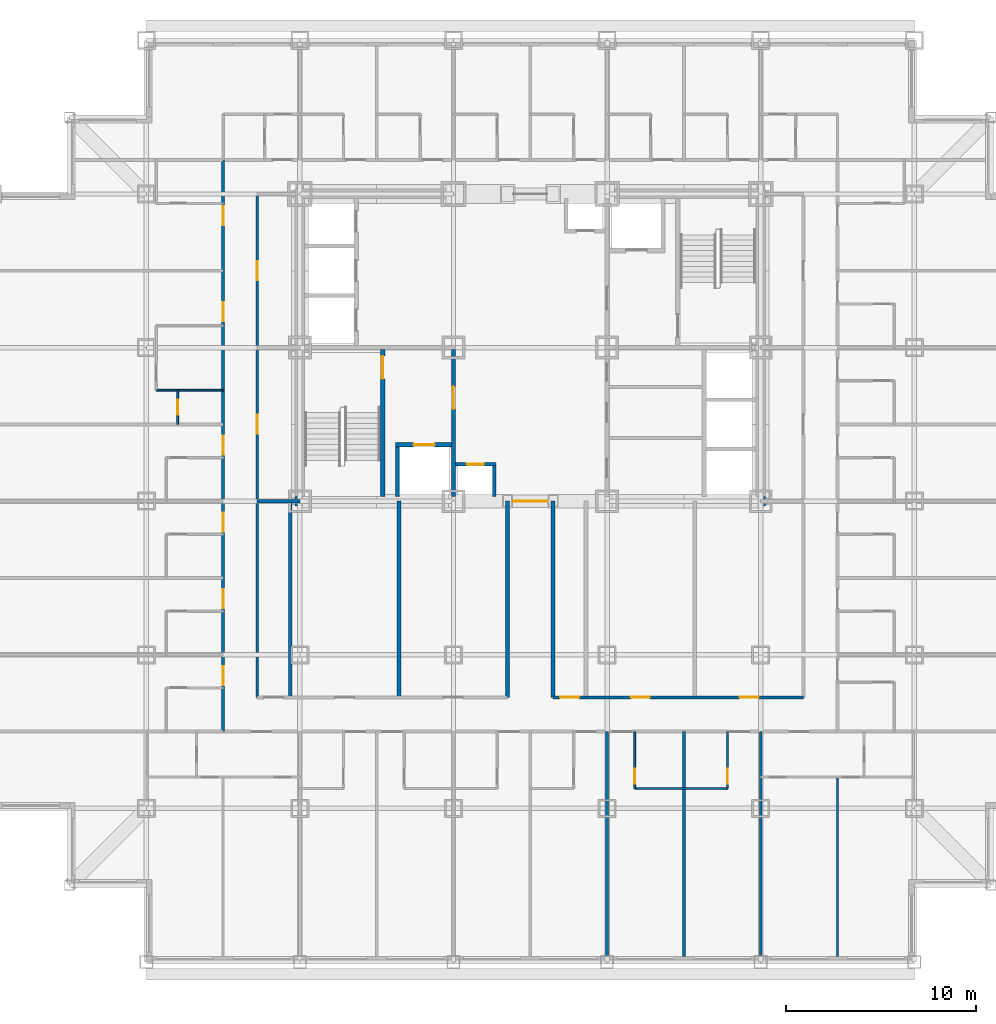
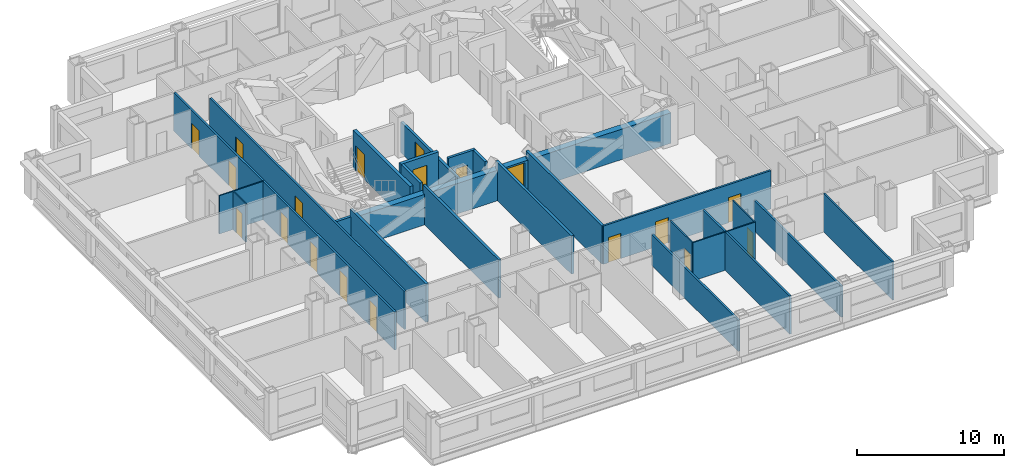
# One storey, part 5 of 11: 24 walls, 19 doors, 19 openings.
"""IFC4 building model written with IfcOpenShell, lengths in metres."""

from ifc_helpers import new_model, si_unit, direction, frame, frame_2d, origin, place, context, subcontext, project, spatial, rectangle, extrude, material, layer, layer_set, type_object, element, fill, save


model = new_model("IFC4")

# Units and contexts
model_context = context("Model", 3, precision=1e-05, world=origin(), true_north=direction((0.0, 1.0)))
body_context = subcontext(model_context, "Body", "Model", "MODEL_VIEW")
ifc_project = project(units=[si_unit("LENGTHUNIT", "METRE"), si_unit("AREAUNIT", "SQUARE_METRE"), si_unit("VOLUMEUNIT", "CUBIC_METRE"), si_unit("PLANEANGLEUNIT", "RADIAN"), si_unit("MASSUNIT", "GRAM", prefix="KILO")], contexts=[model_context])

# Site, building, storey
site_placement = place(None, origin())
site = spatial("IfcSite", under=ifc_project, at=site_placement, CompositionType="ELEMENT")
building_placement = place(site_placement, origin())
building = spatial("IfcBuilding", under=site, at=building_placement, Name="Kopane Lantern Tower", CompositionType="ELEMENT")
storey_placement = place(building_placement, frame((0.0, 0.0, 56.800048828125)))
storey = spatial("IfcBuildingStorey", under=building, at=storey_placement, Name="L13", CompositionType="ELEMENT", Elevation=56.800048828125)

# Walls
ifc_material_1 = material(Name="Gypsum board on steel studs", Category="steel")
ifc_layer_1 = layer(ifc_material_1, 0.1201171875)
ifc_layer_set_1 = layer_set([ifc_layer_1], Name="APARTMENT INTERNAL WALL 120")
wall_type_1 = type_object("IfcWallType", Name="APARTMENT INTERNAL WALL 120", PredefinedType="PARTITIONING", material=ifc_layer_set_1)
wall_1_placement = place(storey_placement, frame((44.550048828125, 9.75, 0.0), z_axis=(0.0, 0.0, 1.0), x_axis=(0.0, -1.0, 0.0)))
element("IfcWall", 1, at=wall_1_placement, inside=storey, type_object=wall_type_1, Name="Apartment Internal Wall 120 L13", PredefinedType="PARTITIONING", context=body_context, shape_type="SweptSolid", body=[
    extrude(rectangle(XDim=9.449951171875, YDim=0.1201171875, at=frame_2d((4.72509765625, 0.0))), origin(), (0.0, 0.0, 1.0), 3.18994140625),
])
ifc_material_2 = material(Name="Moisture-resistant board on steel studs", Category="steel")
ifc_layer_2 = layer(ifc_material_2, 0.10009765625)
ifc_layer_set_2 = layer_set([ifc_layer_2], Name="BATHROOM WALL 100")
wall_type_2 = type_object("IfcWallType", Name="BATHROOM WALL 100", PredefinedType="PARTITIONING", material=ifc_layer_set_2)
wall_2_placement = place(storey_placement, frame((33.85009765625, 9.14990234375, 0.0), z_axis=(0.0, 0.0, 1.0), x_axis=(1.0, 0.0, 0.0)))
element("IfcWall", 2, at=wall_2_placement, inside=storey, type_object=wall_type_2, Name="Bathroom Wall 100 L13", PredefinedType="PARTITIONING", context=body_context, shape_type="SweptSolid", body=[
    extrude(rectangle(XDim=4.89990234375, YDim=0.10009765625, at=frame_2d((2.449951171875, 0.0))), origin(), (0.0, 0.0, 1.0), 3.18994140625),
])

# Wall, opening, door
wall_3_placement = place(storey_placement, frame((33.85009765625, 12.14990234375, 0.0), z_axis=(0.0, 0.0, 1.0), x_axis=(0.0, -1.0, 0.0)))
wall_3 = element("IfcWall", 3, at=wall_3_placement, inside=storey, type_object=wall_type_2, Name="Bathroom Wall 100 L13", PredefinedType="PARTITIONING", context=body_context, shape_type="SweptSolid", body=[
    extrude(rectangle(XDim=3.0, YDim=0.10009765625, at=frame_2d((1.5, 0.0))), origin(), (0.0, 0.0, 1.0), 3.18994140625),
])
opening_1_placement = place(wall_3_placement, frame((1.949951171875, 0.0, 0.0)))
opening_1 = element("IfcOpeningElement", 4, at=opening_1_placement, cuts=wall_3, Name="Opening L13-019", PredefinedType="OPENING", context=body_context, shape_type="SweptSolid", body=[
    extrude(rectangle(XDim=0.800048828125, YDim=2.10009765625, at=frame_2d((0.39990234375, 1.050048828125))), frame((0.0, 0.06005859375, 0.0), z_axis=(0.0, -1.0, 0.0), x_axis=(1.0, 0.0, 0.0)), (0.0, 0.0, 1.0), 0.1201171875),
])
ifc_material_3 = material(Name="Timber door set", Category="wood")
door_type_1 = type_object("IfcDoorType", Name="DOOR D2 800x2100", OperationType="SINGLE_SWING_LEFT", PredefinedType="DOOR", material=ifc_material_3)
door_1_placement = place(opening_1_placement, origin())
door_1 = element("IfcDoor", 5, at=door_1_placement, inside=storey, type_object=door_type_1, Name="Door L13-019", OperationType="SINGLE_SWING_RIGHT", OverallHeight=2.10009765625, OverallWidth=0.800048828125, PredefinedType="DOOR", context=body_context, shape_type="SweptSolid", body=[
    extrude(rectangle(XDim=0.800048828125, YDim=2.10009765625, at=frame_2d((0.39990234375, 1.050048828125))), frame((0.0, 0.02490234375, 0.0), z_axis=(0.0, -1.0, 0.0), x_axis=(1.0, 0.0, 0.0)), (0.0, 0.0, 1.0), 0.050048828125),
])
fill(opening_1, door_1)

wall_4_placement = place(storey_placement, frame((38.75, 12.14990234375, 0.0), z_axis=(0.0, 0.0, 1.0), x_axis=(0.0, -1.0, 0.0)))
wall_4 = element("IfcWall", 6, at=wall_4_placement, inside=storey, type_object=wall_type_2, Name="Bathroom Wall 100 L13", PredefinedType="PARTITIONING", context=body_context, shape_type="SweptSolid", body=[
    extrude(rectangle(XDim=3.0, YDim=0.10009765625, at=frame_2d((1.5, 0.0))), origin(), (0.0, 0.0, 1.0), 3.18994140625),
])
opening_2_placement = place(wall_4_placement, frame((1.949951171875, 0.0, 0.0)))
opening_2 = element("IfcOpeningElement", 7, at=opening_2_placement, cuts=wall_4, Name="Opening L13-021", PredefinedType="OPENING", context=body_context, shape_type="SweptSolid", body=[
    extrude(rectangle(XDim=0.800048828125, YDim=2.10009765625, at=frame_2d((0.39990234375, 1.050048828125))), frame((0.0, 0.06005859375, 0.0), z_axis=(0.0, -1.0, 0.0), x_axis=(1.0, 0.0, 0.0)), (0.0, 0.0, 1.0), 0.1201171875),
])
door_2_placement = place(opening_2_placement, origin())
door_2 = element("IfcDoor", 8, at=door_2_placement, inside=storey, type_object=door_type_1, Name="Door L13-021", OperationType="SINGLE_SWING_LEFT", OverallHeight=2.10009765625, OverallWidth=0.800048828125, PredefinedType="DOOR", context=body_context, shape_type="SweptSolid", body=[
    extrude(rectangle(XDim=0.800048828125, YDim=2.10009765625, at=frame_2d((0.39990234375, 1.050048828125))), frame((0.0, 0.02490234375, 0.0), z_axis=(0.0, -1.0, 0.0), x_axis=(1.0, 0.0, 0.0)), (0.0, 0.0, 1.0), 0.050048828125),
])
fill(opening_2, door_2)

wall_5_placement = place(storey_placement, frame((9.75, 28.35009765625, 0.0), z_axis=(0.0, 0.0, 1.0), x_axis=(0.0, 1.0, 0.0)))
wall_5 = element("IfcWall", 9, at=wall_5_placement, inside=storey, type_object=wall_type_2, Name="Bathroom Wall 100 L13", PredefinedType="PARTITIONING", context=body_context, shape_type="SweptSolid", body=[
    extrude(rectangle(XDim=1.7998046875, YDim=0.10009765625, at=frame_2d((0.89990234375, 0.0))), origin(), (0.0, 0.0, 1.0), 3.18994140625),
])
opening_3_placement = place(wall_5_placement, frame((0.5, 0.0, 0.0)))
opening_3 = element("IfcOpeningElement", 10, at=opening_3_placement, cuts=wall_5, Name="Opening L13-044", PredefinedType="OPENING", context=body_context, shape_type="SweptSolid", body=[
    extrude(rectangle(XDim=0.800048828125, YDim=2.10009765625, at=frame_2d((0.39990234375, 1.050048828125))), frame((0.0, 0.06005859375, 0.0), z_axis=(0.0, -1.0, 0.0), x_axis=(1.0, 0.0, 0.0)), (0.0, 0.0, 1.0), 0.1201171875),
])
door_3_placement = place(opening_3_placement, origin())
door_3 = element("IfcDoor", 11, at=door_3_placement, inside=storey, type_object=door_type_1, Name="Door L13-044", OperationType="SINGLE_SWING_RIGHT", OverallHeight=2.10009765625, OverallWidth=0.800048828125, PredefinedType="DOOR", context=body_context, shape_type="SweptSolid", body=[
    extrude(rectangle(XDim=0.800048828125, YDim=2.10009765625, at=frame_2d((0.39990234375, 1.050048828125))), frame((0.0, 0.02490234375, 0.0), z_axis=(0.0, -1.0, 0.0), x_axis=(1.0, 0.0, 0.0)), (0.0, 0.0, 1.0), 0.050048828125),
])
fill(opening_3, door_3)

# Wall
wall_6_placement = place(storey_placement, frame((12.14990234375, 30.14990234375, 0.0), z_axis=(0.0, 0.0, 1.0), x_axis=(-1.0, 0.0, 0.0)))
element("IfcWall", 12, at=wall_6_placement, inside=storey, type_object=wall_type_2, Name="Bathroom Wall 100 L13", PredefinedType="PARTITIONING", context=body_context, shape_type="SweptSolid", body=[
    extrude(rectangle(XDim=3.514892578125, YDim=0.10009765625, at=frame_2d((1.75732421875, 0.0))), origin(), (0.0, 0.0, 1.0), 3.18994140625),
])

# Wall, opening, door
ifc_material_4 = material(Name="Gypsum shaft wall EI 120", Category="gypsum")
ifc_layer_3 = layer(ifc_material_4, 0.5)
ifc_layer_set_3 = layer_set([ifc_layer_3], Name="CORE PERIMETER WALL 500 EI 120")
wall_type_3 = type_object("IfcWallType", Name="CORE PERIMETER WALL 500 EI 120", PredefinedType="SOLIDWALL", material=ifc_layer_set_3)
wall_7_placement = place(storey_placement, frame((15.949951171875, 24.300048828125, 0.0), z_axis=(0.0, 0.0, 1.0), x_axis=(1.0, 0.0, 0.0)))
wall_7 = element("IfcWall", 13, at=wall_7_placement, inside=storey, type_object=wall_type_3, Name="Core shaft wall L13 PS", PredefinedType="SOLIDWALL", context=body_context, shape_type="SweptSolid", body=[
    extrude(rectangle(XDim=24.800048828125, YDim=0.5, at=frame_2d((12.39990234375, 0.0))), origin(), (0.0, 0.0, 1.0), 2.5400390625),
])
opening_4_placement = place(wall_7_placement, frame((11.5, 0.0, 0.0)))
opening_4 = element("IfcOpeningElement", 14, at=opening_4_placement, cuts=wall_7, Name="Opening 13.CE-S", PredefinedType="OPENING", context=body_context, shape_type="SweptSolid", body=[
    extrude(rectangle(XDim=1.800048828125, YDim=2.39990234375, at=frame_2d((0.89990234375, 1.199951171875))), frame((0.0, 0.260009765625, 0.0), z_axis=(0.0, -1.0, 0.0), x_axis=(1.0, 0.0, 0.0)), (0.0, 0.0, 1.0), 0.52001953125),
])
ifc_material_5 = material(Name="Steel door set", Category="steel")
door_type_2 = type_object("IfcDoorType", Name="CORE ENTRY DOOR 1800x2400 FD60S", OperationType="DOUBLE_DOOR_SINGLE_SWING", PredefinedType="DOOR", material=ifc_material_5)
door_4_placement = place(opening_4_placement, origin())
door_4 = element("IfcDoor", 15, at=door_4_placement, inside=storey, type_object=door_type_2, Name="Core entry door L13 south", OperationType="DOUBLE_DOOR_SINGLE_SWING", OverallHeight=2.39990234375, OverallWidth=1.800048828125, PredefinedType="DOOR", context=body_context, shape_type="SweptSolid", body=[
    extrude(rectangle(XDim=1.800048828125, YDim=2.39990234375, at=frame_2d((0.89990234375, 1.199951171875))), frame((0.0, 0.02490234375, 0.0), z_axis=(0.0, -1.0, 0.0), x_axis=(1.0, 0.0, 0.0)), (0.0, 0.0, 1.0), 0.050048828125),
])
fill(opening_4, door_4)

ifc_material_6 = material(Name="Gypsum shaft wall EI 120", Category="gypsum")
ifc_layer_4 = layer(ifc_material_6, 0.25)
ifc_layer_set_4 = layer_set([ifc_layer_4], Name="CORE SHAFT WALL 250 EI 120")
wall_type_4 = type_object("IfcWallType", Name="CORE SHAFT WALL 250 EI 120", PredefinedType="SOLIDWALL", material=ifc_layer_set_4)
wall_8_placement = place(storey_placement, frame((20.574951171875, 24.550048828125, 0.0), z_axis=(0.0, 0.0, 1.0), x_axis=(0.0, 1.0, 0.0)))
wall_8 = element("IfcWall", 16, at=wall_8_placement, inside=storey, type_object=wall_type_4, Name="Core shaft wall L13 XST1", PredefinedType="SOLIDWALL", context=body_context, shape_type="SweptSolid", body=[
    extrude(rectangle(XDim=7.75, YDim=0.25, at=frame_2d((3.875, 0.0))), origin(), (0.0, 0.0, 1.0), 3.18994140625),
])
opening_5_placement = place(wall_8_placement, frame((6.199951171875, 0.0, 0.0)))
opening_5 = element("IfcOpeningElement", 17, at=opening_5_placement, cuts=wall_8, Name="Opening 13.SD1", PredefinedType="OPENING", context=body_context, shape_type="SweptSolid", body=[
    extrude(rectangle(XDim=1.199951171875, YDim=2.10009765625, at=frame_2d((0.60009765625, 1.050048828125))), frame((0.0, 0.135009765625, 0.0), z_axis=(0.0, -1.0, 0.0), x_axis=(1.0, 0.0, 0.0)), (0.0, 0.0, 1.0), 0.27001953125),
])
ifc_material_7 = material(Name="Steel door set", Category="steel")
door_type_3 = type_object("IfcDoorType", Name="STAIR DOOR 1200x2100 FD60S", OperationType="SINGLE_SWING_LEFT", PredefinedType="DOOR", material=ifc_material_7)
door_5_placement = place(opening_5_placement, origin())
door_5 = element("IfcDoor", 18, at=door_5_placement, inside=storey, type_object=door_type_3, Name="Stair door ST1 L13", OperationType="SINGLE_SWING_LEFT", OverallHeight=2.10009765625, OverallWidth=1.199951171875, PredefinedType="DOOR", context=body_context, shape_type="SweptSolid", body=[
    extrude(rectangle(XDim=1.199951171875, YDim=2.10009765625, at=frame_2d((0.60009765625, 1.050048828125))), frame((0.0, 0.02490234375, 0.0), z_axis=(0.0, -1.0, 0.0), x_axis=(1.0, 0.0, 0.0)), (0.0, 0.0, 1.0), 0.050048828125),
])
fill(opening_5, door_5)

wall_9_placement = place(storey_placement, frame((21.25, 27.27490234375, 0.0), z_axis=(0.0, 0.0, 1.0), x_axis=(1.0, 0.0, 0.0)))
wall_9 = element("IfcWall", 19, at=wall_9_placement, inside=storey, type_object=wall_type_4, Name="Core shaft wall L13 YLF1", PredefinedType="SOLIDWALL", context=body_context, shape_type="SweptSolid", body=[
    extrude(rectangle(XDim=2.949951171875, YDim=0.25, at=frame_2d((1.47509765625, 0.0))), origin(), (0.0, 0.0, 1.0), 3.18994140625),
])
opening_6_placement = place(wall_9_placement, frame((0.949951171875, 0.0, 0.0)))
opening_6 = element("IfcOpeningElement", 20, at=opening_6_placement, cuts=wall_9, Name="Opening 13.LD-LF1", PredefinedType="OPENING", context=body_context, shape_type="SweptSolid", body=[
    extrude(rectangle(XDim=1.10009765625, YDim=2.39990234375, at=frame_2d((0.550048828125, 1.199951171875))), frame((0.0, 0.135009765625, 0.0), z_axis=(0.0, -1.0, 0.0), x_axis=(1.0, 0.0, 0.0)), (0.0, 0.0, 1.0), 0.27001953125),
])
ifc_material_8 = material(Name="Steel door set", Category="steel")
door_type_4 = type_object("IfcDoorType", Name="LIFT LANDING DOOR 1100x2400 FD60", OperationType="DOUBLE_DOOR_SLIDING", PredefinedType="DOOR", material=ifc_material_8)
door_6_placement = place(opening_6_placement, origin())
door_6 = element("IfcDoor", 21, at=door_6_placement, inside=storey, type_object=door_type_4, Name="Landing door LF1 L13", OperationType="DOUBLE_DOOR_SLIDING", OverallHeight=2.39990234375, OverallWidth=1.10009765625, PredefinedType="DOOR", context=body_context, shape_type="SweptSolid", body=[
    extrude(rectangle(XDim=1.10009765625, YDim=2.39990234375, at=frame_2d((0.550048828125, 1.199951171875))), frame((0.0, 0.02490234375, 0.0), z_axis=(0.0, -1.0, 0.0), x_axis=(1.0, 0.0, 0.0)), (0.0, 0.0, 1.0), 0.050048828125),
])
fill(opening_6, door_6)

# Wall, openings, doors
ifc_material_9 = material(Name="Gypsum board on steel studs", Category="steel")
ifc_layer_5 = layer(ifc_material_9, 0.14990234375)
ifc_layer_set_5 = layer_set([ifc_layer_5], Name="CORRIDOR WALL 150 EI 60")
wall_type_5 = type_object("IfcWallType", Name="CORRIDOR WALL 150 EI 60", PredefinedType="PARTITIONING", material=ifc_layer_set_5)
wall_10_placement = place(storey_placement, frame((12.14990234375, 12.14990234375, 0.0), z_axis=(0.0, 0.0, 1.0), x_axis=(0.0, 1.0, 0.0)))
wall_10 = element("IfcWall", 22, at=wall_10_placement, inside=storey, type_object=wall_type_5, Name="Corridor Wall 150 Ei 60 L13", PredefinedType="PARTITIONING", context=body_context, shape_type="SweptSolid", body=[
    extrude(rectangle(XDim=30.150146484375, YDim=0.14990234375, at=frame_2d((15.0751953125, 0.0))), origin(), (0.0, 0.0, 1.0), 3.18994140625),
])
opening_7_placement = place(wall_10_placement, frame((2.449951171875, 0.0, 0.0)))
opening_7 = element("IfcOpeningElement", 23, at=opening_7_placement, cuts=wall_10, Name="Opening L13-036", PredefinedType="OPENING", context=body_context, shape_type="SweptSolid", body=[
    extrude(rectangle(XDim=1.0, YDim=2.10009765625, at=frame_2d((0.5, 1.050048828125))), frame((0.0, 0.0849609375, 0.0), z_axis=(0.0, -1.0, 0.0), x_axis=(1.0, 0.0, 0.0)), (0.0, 0.0, 1.0), 0.169921875),
])
opening_8_placement = place(wall_10_placement, frame((6.5, 0.0, 0.0)))
opening_8 = element("IfcOpeningElement", 24, at=opening_8_placement, cuts=wall_10, Name="Opening L13-038", PredefinedType="OPENING", context=body_context, shape_type="SweptSolid", body=[
    extrude(rectangle(XDim=1.0, YDim=2.10009765625, at=frame_2d((0.5, 1.050048828125))), frame((0.0, 0.0849609375, 0.0), z_axis=(0.0, -1.0, 0.0), x_axis=(1.0, 0.0, 0.0)), (0.0, 0.0, 1.0), 0.169921875),
])
opening_9_placement = place(wall_10_placement, frame((10.550048828125, 0.0, 0.0)))
opening_9 = element("IfcOpeningElement", 25, at=opening_9_placement, cuts=wall_10, Name="Opening L13-040", PredefinedType="OPENING", context=body_context, shape_type="SweptSolid", body=[
    extrude(rectangle(XDim=1.0, YDim=2.10009765625, at=frame_2d((0.5, 1.050048828125))), frame((0.0, 0.0849609375, 0.0), z_axis=(0.0, -1.0, 0.0), x_axis=(1.0, 0.0, 0.0)), (0.0, 0.0, 1.0), 0.169921875),
])
opening_10_placement = place(wall_10_placement, frame((14.60009765625, 0.0, 0.0)))
opening_10 = element("IfcOpeningElement", 26, at=opening_10_placement, cuts=wall_10, Name="Opening L13-042", PredefinedType="OPENING", context=body_context, shape_type="SweptSolid", body=[
    extrude(rectangle(XDim=1.0, YDim=2.10009765625, at=frame_2d((0.5, 1.050048828125))), frame((0.0, 0.0849609375, 0.0), z_axis=(0.0, -1.0, 0.0), x_axis=(1.0, 0.0, 0.0)), (0.0, 0.0, 1.0), 0.169921875),
])
opening_11_placement = place(wall_10_placement, frame((21.64990234375, 0.0, 0.0)))
opening_11 = element("IfcOpeningElement", 27, at=opening_11_placement, cuts=wall_10, Name="Opening L13-045", PredefinedType="OPENING", context=body_context, shape_type="SweptSolid", body=[
    extrude(rectangle(XDim=1.0, YDim=2.10009765625, at=frame_2d((0.5, 1.050048828125))), frame((0.0, 0.0849609375, 0.0), z_axis=(0.0, -1.0, 0.0), x_axis=(1.0, 0.0, 0.0)), (0.0, 0.0, 1.0), 0.169921875),
])
opening_12_placement = place(wall_10_placement, frame((26.699951171875, 0.0, 0.0)))
opening_12 = element("IfcOpeningElement", 28, at=opening_12_placement, cuts=wall_10, Name="Opening L13-047", PredefinedType="OPENING", context=body_context, shape_type="SweptSolid", body=[
    extrude(rectangle(XDim=1.0, YDim=2.10009765625, at=frame_2d((0.5, 1.050048828125))), frame((0.0, 0.0849609375, 0.0), z_axis=(0.0, -1.0, 0.0), x_axis=(1.0, 0.0, 0.0)), (0.0, 0.0, 1.0), 0.169921875),
])
ifc_material_10 = material(Name="Steel door set", Category="steel")
door_type_5 = type_object("IfcDoorType", Name="DOOR D1 1000x2100 FD30S", OperationType="SINGLE_SWING_LEFT", PredefinedType="DOOR", material=ifc_material_10)
door_7_placement = place(opening_7_placement, origin())
door_7 = element("IfcDoor", 29, at=door_7_placement, inside=storey, type_object=door_type_5, Name="Door L13-036", OperationType="SINGLE_SWING_LEFT", OverallHeight=2.10009765625, OverallWidth=1.0, PredefinedType="DOOR", context=body_context, shape_type="SweptSolid", body=[
    extrude(rectangle(XDim=1.0, YDim=2.10009765625, at=frame_2d((0.5, 1.050048828125))), frame((0.0, 0.02490234375, 0.0), z_axis=(0.0, -1.0, 0.0), x_axis=(1.0, 0.0, 0.0)), (0.0, 0.0, 1.0), 0.050048828125),
])
fill(opening_7, door_7)
door_8_placement = place(opening_8_placement, origin())
door_8 = element("IfcDoor", 30, at=door_8_placement, inside=storey, type_object=door_type_5, Name="Door L13-038", OperationType="SINGLE_SWING_LEFT", OverallHeight=2.10009765625, OverallWidth=1.0, PredefinedType="DOOR", context=body_context, shape_type="SweptSolid", body=[
    extrude(rectangle(XDim=1.0, YDim=2.10009765625, at=frame_2d((0.5, 1.050048828125))), frame((0.0, 0.02490234375, 0.0), z_axis=(0.0, -1.0, 0.0), x_axis=(1.0, 0.0, 0.0)), (0.0, 0.0, 1.0), 0.050048828125),
])
fill(opening_8, door_8)
door_9_placement = place(opening_9_placement, origin())
door_9 = element("IfcDoor", 31, at=door_9_placement, inside=storey, type_object=door_type_5, Name="Door L13-040", OperationType="SINGLE_SWING_LEFT", OverallHeight=2.10009765625, OverallWidth=1.0, PredefinedType="DOOR", context=body_context, shape_type="SweptSolid", body=[
    extrude(rectangle(XDim=1.0, YDim=2.10009765625, at=frame_2d((0.5, 1.050048828125))), frame((0.0, 0.02490234375, 0.0), z_axis=(0.0, -1.0, 0.0), x_axis=(1.0, 0.0, 0.0)), (0.0, 0.0, 1.0), 0.050048828125),
])
fill(opening_9, door_9)
door_10_placement = place(opening_10_placement, origin())
door_10 = element("IfcDoor", 32, at=door_10_placement, inside=storey, type_object=door_type_5, Name="Door L13-042", OperationType="SINGLE_SWING_LEFT", OverallHeight=2.10009765625, OverallWidth=1.0, PredefinedType="DOOR", context=body_context, shape_type="SweptSolid", body=[
    extrude(rectangle(XDim=1.0, YDim=2.10009765625, at=frame_2d((0.5, 1.050048828125))), frame((0.0, 0.02490234375, 0.0), z_axis=(0.0, -1.0, 0.0), x_axis=(1.0, 0.0, 0.0)), (0.0, 0.0, 1.0), 0.050048828125),
])
fill(opening_10, door_10)
door_11_placement = place(opening_11_placement, origin())
door_11 = element("IfcDoor", 33, at=door_11_placement, inside=storey, type_object=door_type_5, Name="Door L13-045", OperationType="SINGLE_SWING_LEFT", OverallHeight=2.10009765625, OverallWidth=1.0, PredefinedType="DOOR", context=body_context, shape_type="SweptSolid", body=[
    extrude(rectangle(XDim=1.0, YDim=2.10009765625, at=frame_2d((0.5, 1.050048828125))), frame((0.0, 0.02490234375, 0.0), z_axis=(0.0, -1.0, 0.0), x_axis=(1.0, 0.0, 0.0)), (0.0, 0.0, 1.0), 0.050048828125),
])
fill(opening_11, door_11)
door_12_placement = place(opening_12_placement, origin())
door_12 = element("IfcDoor", 34, at=door_12_placement, inside=storey, type_object=door_type_5, Name="Door L13-047", OperationType="SINGLE_SWING_RIGHT", OverallHeight=2.10009765625, OverallWidth=1.0, PredefinedType="DOOR", context=body_context, shape_type="SweptSolid", body=[
    extrude(rectangle(XDim=1.0, YDim=2.10009765625, at=frame_2d((0.5, 1.050048828125))), frame((0.0, 0.02490234375, 0.0), z_axis=(0.0, -1.0, 0.0), x_axis=(1.0, 0.0, 0.0)), (0.0, 0.0, 1.0), 0.050048828125),
])
fill(opening_12, door_12)

wall_11_placement = place(storey_placement, frame((13.949951171875, 40.5, 0.0), z_axis=(0.0, 0.0, 1.0), x_axis=(0.0, -1.0, 0.0)))
wall_11 = element("IfcWall", 35, at=wall_11_placement, inside=storey, type_object=wall_type_5, Name="Corridor Wall 150 Ei 60 L13", PredefinedType="PARTITIONING", context=body_context, shape_type="SweptSolid", body=[
    extrude(rectangle(XDim=26.550048828125, YDim=0.14990234375, at=frame_2d((13.27490234375, 0.0))), origin(), (0.0, 0.0, 1.0), 3.18994140625),
])
opening_13_placement = place(wall_11_placement, frame((11.64990234375, 0.0, 0.0)))
opening_13 = element("IfcOpeningElement", 36, at=opening_13_placement, cuts=wall_11, Name="Opening L13-001", PredefinedType="OPENING", context=body_context, shape_type="SweptSolid", body=[
    extrude(rectangle(XDim=1.0, YDim=2.10009765625, at=frame_2d((0.5, 1.050048828125))), frame((0.0, 0.0849609375, 0.0), z_axis=(0.0, -1.0, 0.0), x_axis=(1.0, 0.0, 0.0)), (0.0, 0.0, 1.0), 0.169921875),
])
opening_14_placement = place(wall_11_placement, frame((3.550048828125, 0.0, 0.0)))
opening_14 = element("IfcOpeningElement", 37, at=opening_14_placement, cuts=wall_11, Name="Opening L13-002", PredefinedType="OPENING", context=body_context, shape_type="SweptSolid", body=[
    extrude(rectangle(XDim=1.0, YDim=2.10009765625, at=frame_2d((0.5, 1.050048828125))), frame((0.0, 0.0849609375, 0.0), z_axis=(0.0, -1.0, 0.0), x_axis=(1.0, 0.0, 0.0)), (0.0, 0.0, 1.0), 0.169921875),
])
ifc_material_11 = material(Name="Steel door set", Category="steel")
door_type_6 = type_object("IfcDoorType", Name="DOOR D5 1000x2100 FD60", OperationType="SINGLE_SWING_LEFT", PredefinedType="DOOR", material=ifc_material_11)
door_13_placement = place(opening_13_placement, origin())
door_13 = element("IfcDoor", 38, at=door_13_placement, inside=storey, type_object=door_type_6, Name="Door L13-001", OperationType="SINGLE_SWING_RIGHT", OverallHeight=2.10009765625, OverallWidth=1.0, PredefinedType="DOOR", context=body_context, shape_type="SweptSolid", body=[
    extrude(rectangle(XDim=1.0, YDim=2.10009765625, at=frame_2d((0.5, 1.050048828125))), frame((0.0, 0.02490234375, 0.0), z_axis=(0.0, -1.0, 0.0), x_axis=(1.0, 0.0, 0.0)), (0.0, 0.0, 1.0), 0.050048828125),
])
fill(opening_13, door_13)
door_14_placement = place(opening_14_placement, origin())
door_14 = element("IfcDoor", 39, at=door_14_placement, inside=storey, type_object=door_type_6, Name="Door L13-002", OperationType="SINGLE_SWING_LEFT", OverallHeight=2.10009765625, OverallWidth=1.0, PredefinedType="DOOR", context=body_context, shape_type="SweptSolid", body=[
    extrude(rectangle(XDim=1.0, YDim=2.10009765625, at=frame_2d((0.5, 1.050048828125))), frame((0.0, 0.02490234375, 0.0), z_axis=(0.0, -1.0, 0.0), x_axis=(1.0, 0.0, 0.0)), (0.0, 0.0, 1.0), 0.050048828125),
])
fill(opening_14, door_14)

wall_12_placement = place(storey_placement, frame((29.56005859375, 13.949951171875, 0.0), z_axis=(0.0, 0.0, 1.0), x_axis=(1.0, 0.0, 0.0)))
wall_12 = element("IfcWall", 40, at=wall_12_placement, inside=storey, type_object=wall_type_5, Name="Corridor Wall 150 Ei 60 L13", PredefinedType="PARTITIONING", context=body_context, shape_type="SweptSolid", body=[
    extrude(rectangle(XDim=13.18994140625, YDim=0.14990234375, at=frame_2d((6.594970703125, 0.0))), origin(), (0.0, 0.0, 1.0), 3.18994140625),
])
opening_15_placement = place(wall_12_placement, frame((0.359619140625, 0.0, 0.0)))
opening_15 = element("IfcOpeningElement", 41, at=opening_15_placement, cuts=wall_12, Name="Opening L13-008", PredefinedType="OPENING", context=body_context, shape_type="SweptSolid", body=[
    extrude(rectangle(XDim=1.0, YDim=2.10009765625, at=frame_2d((0.5, 1.050048828125))), frame((0.0, 0.0849609375, 0.0), z_axis=(0.0, -1.0, 0.0), x_axis=(1.0, 0.0, 0.0)), (0.0, 0.0, 1.0), 0.169921875),
])
opening_16_placement = place(wall_12_placement, frame((4.09423828125, 0.0, 0.0)))
opening_16 = element("IfcOpeningElement", 42, at=opening_16_placement, cuts=wall_12, Name="Opening L13-009", PredefinedType="OPENING", context=body_context, shape_type="SweptSolid", body=[
    extrude(rectangle(XDim=1.0, YDim=2.10009765625, at=frame_2d((0.5, 1.050048828125))), frame((0.0, 0.0849609375, 0.0), z_axis=(0.0, -1.0, 0.0), x_axis=(1.0, 0.0, 0.0)), (0.0, 0.0, 1.0), 0.169921875),
])
opening_17_placement = place(wall_12_placement, frame((9.82470703125, 0.0, 0.0)))
opening_17 = element("IfcOpeningElement", 43, at=opening_17_placement, cuts=wall_12, Name="Opening L13-010", PredefinedType="OPENING", context=body_context, shape_type="SweptSolid", body=[
    extrude(rectangle(XDim=1.0, YDim=2.10009765625, at=frame_2d((0.5, 1.050048828125))), frame((0.0, 0.0849609375, 0.0), z_axis=(0.0, -1.0, 0.0), x_axis=(1.0, 0.0, 0.0)), (0.0, 0.0, 1.0), 0.169921875),
])
door_15_placement = place(opening_15_placement, origin())
door_15 = element("IfcDoor", 44, at=door_15_placement, inside=storey, type_object=door_type_6, Name="Door L13-008", OperationType="SINGLE_SWING_LEFT", OverallHeight=2.10009765625, OverallWidth=1.0, PredefinedType="DOOR", context=body_context, shape_type="SweptSolid", body=[
    extrude(rectangle(XDim=1.0, YDim=2.10009765625, at=frame_2d((0.5, 1.050048828125))), frame((0.0, 0.02490234375, 0.0), z_axis=(0.0, -1.0, 0.0), x_axis=(1.0, 0.0, 0.0)), (0.0, 0.0, 1.0), 0.050048828125),
])
fill(opening_15, door_15)
door_16_placement = place(opening_16_placement, origin())
door_16 = element("IfcDoor", 45, at=door_16_placement, inside=storey, type_object=door_type_6, Name="Door L13-009", OperationType="SINGLE_SWING_RIGHT", OverallHeight=2.10009765625, OverallWidth=1.0, PredefinedType="DOOR", context=body_context, shape_type="SweptSolid", body=[
    extrude(rectangle(XDim=1.0, YDim=2.10009765625, at=frame_2d((0.5, 1.050048828125))), frame((0.0, 0.02490234375, 0.0), z_axis=(0.0, -1.0, 0.0), x_axis=(1.0, 0.0, 0.0)), (0.0, 0.0, 1.0), 0.050048828125),
])
fill(opening_16, door_16)
door_17_placement = place(opening_17_placement, origin())
door_17 = element("IfcDoor", 46, at=door_17_placement, inside=storey, type_object=door_type_6, Name="Door L13-010", OperationType="SINGLE_SWING_LEFT", OverallHeight=2.10009765625, OverallWidth=1.0, PredefinedType="DOOR", context=body_context, shape_type="SweptSolid", body=[
    extrude(rectangle(XDim=1.0, YDim=2.10009765625, at=frame_2d((0.5, 1.050048828125))), frame((0.0, 0.02490234375, 0.0), z_axis=(0.0, -1.0, 0.0), x_axis=(1.0, 0.0, 0.0)), (0.0, 0.0, 1.0), 0.050048828125),
])
fill(opening_17, door_17)

# Walls
ifc_material_12 = material(Name="Gypsum board on steel studs", Category="steel")
ifc_layer_6 = layer(ifc_material_12, 0.14990234375)
ifc_layer_set_6 = layer_set([ifc_layer_6], Name="DEMISING WALL 150 EI 60")
wall_type_6 = type_object("IfcWallType", Name="DEMISING WALL 150 EI 60", PredefinedType="PARTITIONING", material=ifc_layer_set_6)
wall_13_placement = place(storey_placement, frame((32.39990234375, 12.14990234375, 0.0), z_axis=(0.0, 0.0, 1.0), x_axis=(0.0, -1.0, 0.0)))
element("IfcWall", 47, at=wall_13_placement, inside=storey, type_object=wall_type_6, Name="Demising Wall 150 Ei 60 L13", PredefinedType="PARTITIONING", context=body_context, shape_type="SweptSolid", body=[
    extrude(rectangle(XDim=11.849853515625, YDim=0.14990234375, at=frame_2d((5.9248046875, 0.0))), origin(), (0.0, 0.0, 1.0), 2.57763671875),
])
wall_14_placement = place(storey_placement, frame((36.449951171875, 12.14990234375, 0.0), z_axis=(0.0, 0.0, 1.0), x_axis=(0.0, -1.0, 0.0)))
element("IfcWall", 48, at=wall_14_placement, inside=storey, type_object=wall_type_6, Name="Demising Wall 150 Ei 60 L13", PredefinedType="PARTITIONING", context=body_context, shape_type="SweptSolid", body=[
    extrude(rectangle(XDim=11.849853515625, YDim=0.14990234375, at=frame_2d((5.9248046875, 0.0))), origin(), (0.0, 0.0, 1.0), 3.18994140625),
])
wall_15_placement = place(storey_placement, frame((40.5, 12.14990234375, 0.0), z_axis=(0.0, 0.0, 1.0), x_axis=(0.0, -1.0, 0.0)))
element("IfcWall", 49, at=wall_15_placement, inside=storey, type_object=wall_type_6, Name="Demising Wall 150 Ei 60 L13", PredefinedType="PARTITIONING", context=body_context, shape_type="SweptSolid", body=[
    extrude(rectangle(XDim=11.849853515625, YDim=0.14990234375, at=frame_2d((5.9248046875, 0.0))), origin(), (0.0, 0.0, 1.0), 2.57763671875),
])
ifc_material_13 = material(Name="Concrete masonry", Category="masonry")
ifc_layer_7 = layer(ifc_material_13, 0.199951171875)
ifc_layer_set_7 = layer_set([ifc_layer_7], Name="PLANT ROOM WALL 200 EI 120")
wall_type_7 = type_object("IfcWallType", Name="PLANT ROOM WALL 200 EI 120", PredefinedType="SOLIDWALL", material=ifc_layer_set_7)
for number, where, z_axis, x_axis, name in (
    (50, (15.689208984375, 13.949951171875, 0.0), (0.0, 0.0, 1.0), (0.0, 1.0, 0.0), "Plant Room Wall 200 Ei 120 L13"),
    (51, (21.419677734375, 13.949951171875, 0.0), (0.0, 0.0, 1.0), (0.0, 1.0, 0.0), "Plant Room Wall 200 Ei 120 L13"),
    (52, (27.14990234375, 13.949951171875, 0.0), (0.0, 0.0, 1.0), (0.0, 1.0, 0.0), "Plant Room Wall 200 Ei 120 L13"),
    (53, (29.550048828125, 13.949951171875, 0.0), (0.0, 0.0, 1.0), (0.0, 1.0, 0.0), "Plant Room Wall 200 Ei 120 L13"),
):
    element("IfcWall", number, at=place(storey_placement, frame(where, z_axis=z_axis, x_axis=x_axis)), inside=storey, type_object=wall_type_7, Name=name, PredefinedType="SOLIDWALL", context=body_context, shape_type="SweptSolid", body=[
        extrude(rectangle(XDim=10.35009765625, YDim=0.199951171875, at=frame_2d((5.175048828125, 0.0))), origin(), (0.0, 0.0, 1.0), 3.18994140625),
    ])
wall_16_placement = place(storey_placement, frame((13.949951171875, 24.300048828125, 0.0), z_axis=(0.0, 0.0, 1.0), x_axis=(1.0, 0.0, 0.0)))
element("IfcWall", 54, at=wall_16_placement, inside=storey, type_object=wall_type_7, Name="Plant Room Wall 200 Ei 120 L13", PredefinedType="SOLIDWALL", context=body_context, shape_type="SweptSolid", body=[
    extrude(rectangle(XDim=2.25, YDim=0.199951171875, at=frame_2d((1.125, 0.0))), origin(), (0.0, 0.0, 1.0), 2.57763671875),
])

# Wall, opening, door
ifc_material_14 = material(Name="Gypsum shaft wall EI 120", Category="gypsum")
ifc_layer_8 = layer(ifc_material_14, 0.199951171875)
ifc_layer_set_8 = layer_set([ifc_layer_8], Name="SHAFT WALL 200 EI 120")
wall_type_8 = type_object("IfcWallType", Name="SHAFT WALL 200 EI 120", PredefinedType="SOLIDWALL", material=ifc_layer_set_8)
wall_17_placement = place(storey_placement, frame((24.300048828125, 24.550048828125, 0.0), z_axis=(0.0, 0.0, 1.0), x_axis=(0.0, 1.0, 0.0)))
wall_17 = element("IfcWall", 55, at=wall_17_placement, inside=storey, type_object=wall_type_8, Name="Core shaft wall L13 X243", PredefinedType="SOLIDWALL", context=body_context, shape_type="SweptSolid", body=[
    extrude(rectangle(XDim=7.75, YDim=0.199951171875, at=frame_2d((3.875, 0.0))), origin(), (0.0, 0.0, 1.0), 2.57763671875),
])
opening_18_placement = place(wall_17_placement, frame((4.60009765625, 0.0, 0.0)))
opening_18 = element("IfcOpeningElement", 56, at=opening_18_placement, cuts=wall_17, Name="Opening 13.FL1", PredefinedType="OPENING", context=body_context, shape_type="SweptSolid", body=[
    extrude(rectangle(XDim=1.199951171875, YDim=2.10009765625, at=frame_2d((0.60009765625, 1.050048828125))), frame((0.0, 0.10986328125, 0.0), z_axis=(0.0, -1.0, 0.0), x_axis=(1.0, 0.0, 0.0)), (0.0, 0.0, 1.0), 0.219970703125),
])
ifc_material_15 = material(Name="Steel door set", Category="steel")
door_type_7 = type_object("IfcDoorType", Name="FIREFIGHTING LOBBY DOOR 1200x2100 FD60S", OperationType="SINGLE_SWING_RIGHT", PredefinedType="DOOR", material=ifc_material_15)
door_18_placement = place(opening_18_placement, origin())
door_18 = element("IfcDoor", 57, at=door_18_placement, inside=storey, type_object=door_type_7, Name="Firefighting lobby door FL1 L13", OperationType="SINGLE_SWING_LEFT", OverallHeight=2.10009765625, OverallWidth=1.199951171875, PredefinedType="DOOR", context=body_context, shape_type="SweptSolid", body=[
    extrude(rectangle(XDim=1.199951171875, YDim=2.10009765625, at=frame_2d((0.60009765625, 1.050048828125))), frame((0.0, 0.02490234375, 0.0), z_axis=(0.0, -1.0, 0.0), x_axis=(1.0, 0.0, 0.0)), (0.0, 0.0, 1.0), 0.050048828125),
])
fill(opening_18, door_18)

# Walls
wall_18_placement = place(storey_placement, frame((21.35009765625, 24.550048828125, 0.0), z_axis=(0.0, 0.0, 1.0), x_axis=(0.0, 1.0, 0.0)))
element("IfcWall", 58, at=wall_18_placement, inside=storey, type_object=wall_type_8, Name="Core shaft wall L13 XLF1", PredefinedType="SOLIDWALL", context=body_context, shape_type="SweptSolid", body=[
    extrude(rectangle(XDim=2.599853515625, YDim=0.199951171875, at=frame_2d((1.2998046875, 0.0))), origin(), (0.0, 0.0, 1.0), 3.18994140625),
])
wall_19_placement = place(storey_placement, frame((26.449951171875, 24.550048828125, 0.0), z_axis=(0.0, 0.0, 1.0), x_axis=(0.0, 1.0, 0.0)))
element("IfcWall", 59, at=wall_19_placement, inside=storey, type_object=wall_type_8, Name="Core shaft wall L13 XRS1", PredefinedType="SOLIDWALL", context=body_context, shape_type="SweptSolid", body=[
    extrude(rectangle(XDim=1.599853515625, YDim=0.199951171875, at=frame_2d((0.7998046875, 0.0))), origin(), (0.0, 0.0, 1.0), 3.18994140625),
])

# Wall, opening, door
wall_20_placement = place(storey_placement, frame((24.39990234375, 26.25, 0.0), z_axis=(0.0, 0.0, 1.0), x_axis=(1.0, 0.0, 0.0)))
wall_20 = element("IfcWall", 60, at=wall_20_placement, inside=storey, type_object=wall_type_8, Name="Core shaft wall L13 YRS1", PredefinedType="SOLIDWALL", context=body_context, shape_type="SweptSolid", body=[
    extrude(rectangle(XDim=2.150146484375, YDim=0.199951171875, at=frame_2d((1.0751953125, 0.0))), origin(), (0.0, 0.0, 1.0), 3.18994140625),
])
opening_19_placement = place(wall_20_placement, frame((0.60009765625, 0.0, 0.0)))
opening_19 = element("IfcOpeningElement", 61, at=opening_19_placement, cuts=wall_20, Name="Opening 13.RS1", PredefinedType="OPENING", context=body_context, shape_type="SweptSolid", body=[
    extrude(rectangle(XDim=0.89990234375, YDim=2.10009765625, at=frame_2d((0.449951171875, 1.050048828125))), frame((0.0, 0.10986328125, 0.0), z_axis=(0.0, -1.0, 0.0), x_axis=(1.0, 0.0, 0.0)), (0.0, 0.0, 1.0), 0.219970703125),
])
ifc_material_16 = material(Name="Steel door set", Category="steel")
door_type_8 = type_object("IfcDoorType", Name="RISER ACCESS DOOR 900x2100 FD60", OperationType="SINGLE_SWING_LEFT", PredefinedType="DOOR", material=ifc_material_16)
door_19_placement = place(opening_19_placement, origin())
door_19 = element("IfcDoor", 62, at=door_19_placement, inside=storey, type_object=door_type_8, Name="Riser access door RS1 L13", OperationType="SINGLE_SWING_LEFT", OverallHeight=2.10009765625, OverallWidth=0.89990234375, PredefinedType="DOOR", context=body_context, shape_type="SweptSolid", body=[
    extrude(rectangle(XDim=0.89990234375, YDim=2.10009765625, at=frame_2d((0.449951171875, 1.050048828125))), frame((0.0, 0.02490234375, 0.0), z_axis=(0.0, -1.0, 0.0), x_axis=(1.0, 0.0, 0.0)), (0.0, 0.0, 1.0), 0.050048828125),
])
fill(opening_19, door_19)

save(model, "model.ifc")
